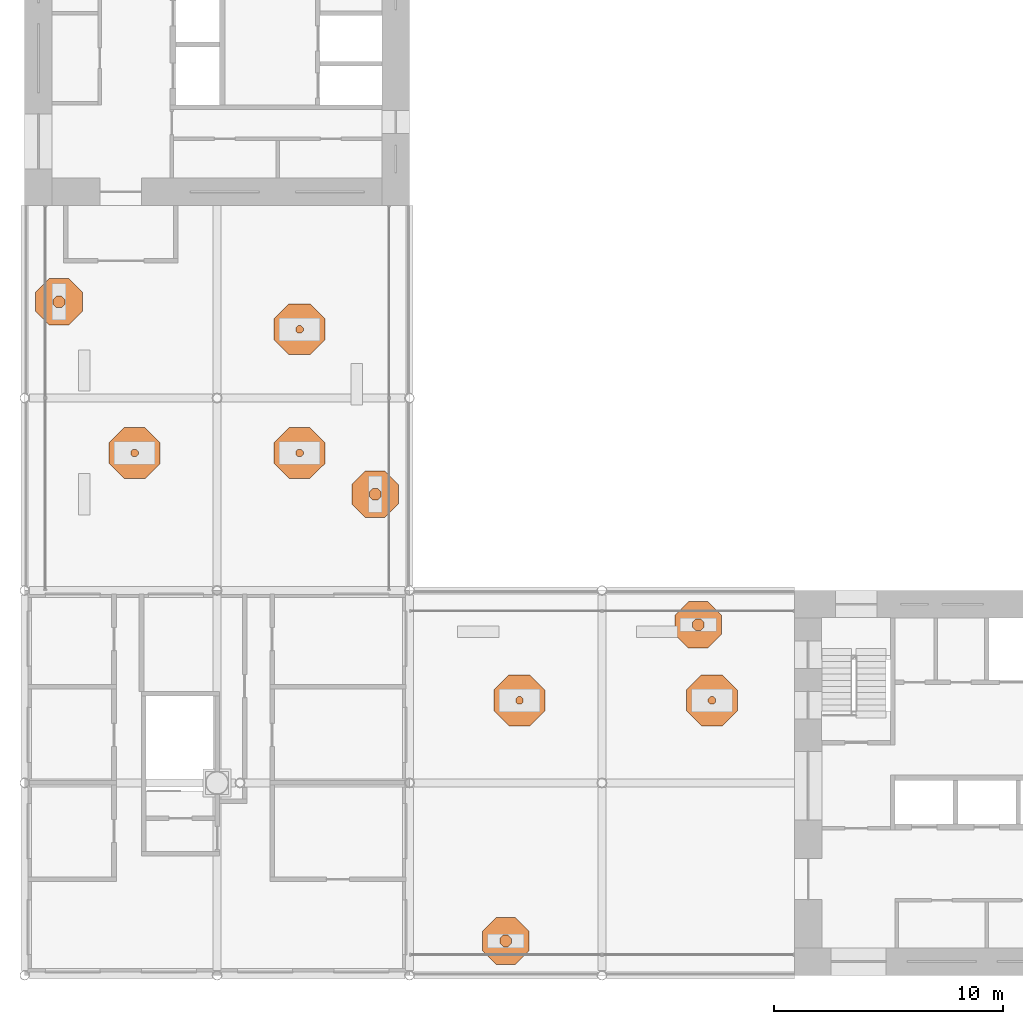
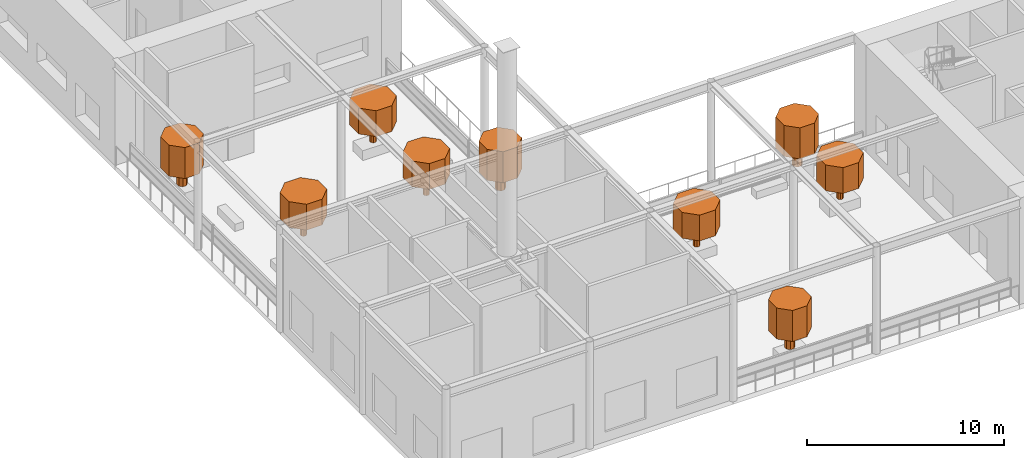
# One storey, part 15 of 15: 18 geographic elements.
"""IFC4 building model written with IfcOpenShell, lengths in metres."""

from ifc_helpers import new_model, si_unit, direction, frame, origin, place, context, subcontext, project, spatial, polyline, outline, extrude, material, element, save


model = new_model("IFC4")

# Units and contexts
model_context = context("Model", 3, precision=1e-05, world=origin(), true_north=direction((0.0, 1.0)))
body_context = subcontext(model_context, "Body", "Model", "MODEL_VIEW")
ifc_project = project(units=[si_unit("LENGTHUNIT", "METRE"), si_unit("AREAUNIT", "SQUARE_METRE"), si_unit("VOLUMEUNIT", "CUBIC_METRE"), si_unit("PLANEANGLEUNIT", "RADIAN"), si_unit("MASSUNIT", "GRAM", prefix="KILO")], contexts=[model_context])

# Site, building, storey
site_placement = place(None, origin())
site = spatial("IfcSite", under=ifc_project, at=site_placement, CompositionType="ELEMENT")
building_placement = place(site_placement, origin())
building = spatial("IfcBuilding", under=site, at=building_placement, Name="Vermilion Gate Residences", CompositionType="ELEMENT")
storey_placement = place(building_placement, frame((0.0, 0.0, 277.199951171875)))
storey = spatial("IfcBuildingStorey", under=building, at=storey_placement, Name="L73", CompositionType="ELEMENT", Elevation=277.199951171875)

# Geographic elements
ifc_material = material(Name="Foliage")
geographic_element_1_placement = place(storey_placement, frame((0.0, 0.0, 0.60009765625)))
element("IfcGeographicElement", 1, at=geographic_element_1_placement, inside=storey, material=ifc_material, Name="Tree trunk (maple)", ObjectType="TREE", PredefinedType="USERDEFINED", context=body_context, shape_type="SweptSolid", body=[
    extrude(outline(polyline([(30.16162109375, 20.467041015625), (30.06689453125, 20.561767578125), (29.93310546875, 20.561767578125), (29.83837890625, 20.467041015625), (29.83837890625, 20.3330078125), (29.93310546875, 20.23828125), (30.06689453125, 20.23828125), (30.16162109375, 20.3330078125), (30.16162109375, 20.467041015625)])), origin(), (0.0, 0.0, 1.0), 1.300048828125),
])
geographic_element_2_placement = place(storey_placement, frame((0.0, 0.0, 1.699951171875)))
element("IfcGeographicElement", 2, at=geographic_element_2_placement, inside=storey, material=ifc_material, Name="Tree crown (maple)", ObjectType="TREE", PredefinedType="USERDEFINED", context=body_context, shape_type="SweptSolid", body=[
    extrude(outline(polyline([(31.108642578125, 20.859130859375), (30.459228515625, 21.5087890625), (29.540771484375, 21.5087890625), (28.891357421875, 20.859130859375), (28.891357421875, 19.94091796875), (29.540771484375, 19.291259765625), (30.459228515625, 19.291259765625), (31.108642578125, 19.94091796875), (31.108642578125, 20.859130859375)])), origin(), (0.0, 0.0, 1.0), 1.60009765625),
])
geographic_element_3_placement = place(storey_placement, frame((0.0, 0.0, 0.60009765625)))
element("IfcGeographicElement", 3, at=geographic_element_3_placement, inside=storey, material=ifc_material, Name="Tree trunk (zelkova)", ObjectType="TREE", PredefinedType="USERDEFINED", context=body_context, shape_type="SweptSolid", body=[
    extrude(outline(polyline([(38.561767578125, 20.467041015625), (38.467041015625, 20.561767578125), (38.3330078125, 20.561767578125), (38.23828125, 20.467041015625), (38.23828125, 20.3330078125), (38.3330078125, 20.23828125), (38.467041015625, 20.23828125), (38.561767578125, 20.3330078125), (38.561767578125, 20.467041015625)])), origin(), (0.0, 0.0, 1.0), 1.300048828125),
])
geographic_element_4_placement = place(storey_placement, frame((0.0, 0.0, 1.699951171875)))
element("IfcGeographicElement", 4, at=geographic_element_4_placement, inside=storey, material=ifc_material, Name="Tree crown (zelkova)", ObjectType="TREE", PredefinedType="USERDEFINED", context=body_context, shape_type="SweptSolid", body=[
    extrude(outline(polyline([(39.5087890625, 20.859130859375), (38.859130859375, 21.5087890625), (37.94091796875, 21.5087890625), (37.291259765625, 20.859130859375), (37.291259765625, 19.94091796875), (37.94091796875, 19.291259765625), (38.859130859375, 19.291259765625), (39.5087890625, 19.94091796875), (39.5087890625, 20.859130859375)])), origin(), (0.0, 0.0, 1.0), 1.60009765625),
])
geographic_element_5_placement = place(storey_placement, frame((0.0, 0.0, 0.60009765625)))
element("IfcGeographicElement", 5, at=geographic_element_5_placement, inside=storey, material=ifc_material, Name="Tree trunk (black pine)", ObjectType="TREE", PredefinedType="USERDEFINED", context=body_context, shape_type="SweptSolid", body=[
    extrude(outline(polyline([(13.36181640625, 31.26708984375), (13.26708984375, 31.36181640625), (13.133056640625, 31.36181640625), (13.038330078125, 31.26708984375), (13.038330078125, 31.133056640625), (13.133056640625, 31.038330078125), (13.26708984375, 31.038330078125), (13.36181640625, 31.133056640625), (13.36181640625, 31.26708984375)])), origin(), (0.0, 0.0, 1.0), 1.300048828125),
])
geographic_element_6_placement = place(storey_placement, frame((0.0, 0.0, 1.699951171875)))
element("IfcGeographicElement", 6, at=geographic_element_6_placement, inside=storey, material=ifc_material, Name="Tree crown (black pine)", ObjectType="TREE", PredefinedType="USERDEFINED", context=body_context, shape_type="SweptSolid", body=[
    extrude(outline(polyline([(14.30859375, 31.6591796875), (13.6591796875, 32.30859375), (12.74072265625, 32.30859375), (12.09130859375, 31.6591796875), (12.09130859375, 30.74072265625), (12.74072265625, 30.09130859375), (13.6591796875, 30.09130859375), (14.30859375, 30.74072265625), (14.30859375, 31.6591796875)])), origin(), (0.0, 0.0, 1.0), 1.60009765625),
])
geographic_element_7_placement = place(storey_placement, frame((0.0, 0.0, 0.60009765625)))
element("IfcGeographicElement", 7, at=geographic_element_7_placement, inside=storey, material=ifc_material, Name="Tree trunk (fringe tree)", ObjectType="TREE", PredefinedType="USERDEFINED", context=body_context, shape_type="SweptSolid", body=[
    extrude(outline(polyline([(20.561767578125, 31.26708984375), (20.467041015625, 31.36181640625), (20.3330078125, 31.36181640625), (20.23828125, 31.26708984375), (20.23828125, 31.133056640625), (20.3330078125, 31.038330078125), (20.467041015625, 31.038330078125), (20.561767578125, 31.133056640625), (20.561767578125, 31.26708984375)])), origin(), (0.0, 0.0, 1.0), 1.300048828125),
])
geographic_element_8_placement = place(storey_placement, frame((0.0, 0.0, 1.699951171875)))
element("IfcGeographicElement", 8, at=geographic_element_8_placement, inside=storey, material=ifc_material, Name="Tree crown (fringe tree)", ObjectType="TREE", PredefinedType="USERDEFINED", context=body_context, shape_type="SweptSolid", body=[
    extrude(outline(polyline([(21.5087890625, 31.6591796875), (20.859130859375, 32.30859375), (19.94091796875, 32.30859375), (19.291259765625, 31.6591796875), (19.291259765625, 30.74072265625), (19.94091796875, 30.09130859375), (20.859130859375, 30.09130859375), (21.5087890625, 30.74072265625), (21.5087890625, 31.6591796875)])), origin(), (0.0, 0.0, 1.0), 1.60009765625),
])
geographic_element_9_placement = place(storey_placement, frame((0.0, 0.0, 0.60009765625)))
element("IfcGeographicElement", 9, at=geographic_element_9_placement, inside=storey, material=ifc_material, Name="Tree trunk (maple)", ObjectType="TREE", PredefinedType="USERDEFINED", context=body_context, shape_type="SweptSolid", body=[
    extrude(outline(polyline([(20.561767578125, 36.6669921875), (20.467041015625, 36.76171875), (20.3330078125, 36.76171875), (20.23828125, 36.6669921875), (20.23828125, 36.532958984375), (20.3330078125, 36.438232421875), (20.467041015625, 36.438232421875), (20.561767578125, 36.532958984375), (20.561767578125, 36.6669921875)])), origin(), (0.0, 0.0, 1.0), 1.300048828125),
])
geographic_element_10_placement = place(storey_placement, frame((0.0, 0.0, 1.699951171875)))
element("IfcGeographicElement", 10, at=geographic_element_10_placement, inside=storey, material=ifc_material, Name="Tree crown (maple)", ObjectType="TREE", PredefinedType="USERDEFINED", context=body_context, shape_type="SweptSolid", body=[
    extrude(outline(polyline([(21.5087890625, 37.05908203125), (20.859130859375, 37.708740234375), (19.94091796875, 37.708740234375), (19.291259765625, 37.05908203125), (19.291259765625, 36.140869140625), (19.94091796875, 35.4912109375), (20.859130859375, 35.4912109375), (21.5087890625, 36.140869140625), (21.5087890625, 37.05908203125)])), origin(), (0.0, 0.0, 1.0), 1.60009765625),
])
geographic_element_11_placement = place(storey_placement, frame((0.0, 0.0, 0.900146484375)))
element("IfcGeographicElement", 11, at=geographic_element_11_placement, inside=storey, material=ifc_material, Name="Tree (maple)", ObjectType="TREE", PredefinedType="USERDEFINED", context=body_context, shape_type="SweptSolid", body=[
    extrude(outline(polyline([(29.654052734375, 10.005126953125), (29.505126953125, 10.154052734375), (29.294921875, 10.154052734375), (29.14599609375, 10.005126953125), (29.14599609375, 9.794921875), (29.294921875, 9.64599609375), (29.505126953125, 9.64599609375), (29.654052734375, 9.794921875), (29.654052734375, 10.005126953125)])), origin(), (0.0, 0.0, 1.0), 1.079833984375),
])
geographic_element_12_placement = place(storey_placement, frame((0.0, 0.0, 1.97998046875)))
element("IfcGeographicElement", 12, at=geographic_element_12_placement, inside=storey, material=ifc_material, Name="Tree crown (maple)", ObjectType="TREE", PredefinedType="USERDEFINED", context=body_context, shape_type="SweptSolid", body=[
    extrude(outline(polyline([(30.416259765625, 10.321044921875), (29.821044921875, 10.916259765625), (28.97900390625, 10.916259765625), (28.3837890625, 10.321044921875), (28.3837890625, 9.47900390625), (28.97900390625, 8.8837890625), (29.821044921875, 8.8837890625), (30.416259765625, 9.47900390625), (30.416259765625, 10.321044921875)])), origin(), (0.0, 0.0, 1.0), 1.920166015625),
])
geographic_element_13_placement = place(storey_placement, frame((0.0, 0.0, 0.900146484375)))
element("IfcGeographicElement", 13, at=geographic_element_13_placement, inside=storey, material=ifc_material, Name="Tree (black pine)", ObjectType="TREE", PredefinedType="USERDEFINED", context=body_context, shape_type="SweptSolid", body=[
    extrude(outline(polyline([(38.05419921875, 23.80517578125), (37.9052734375, 23.9541015625), (37.69482421875, 23.9541015625), (37.5458984375, 23.80517578125), (37.5458984375, 23.5947265625), (37.69482421875, 23.44580078125), (37.9052734375, 23.44580078125), (38.05419921875, 23.5947265625), (38.05419921875, 23.80517578125)])), origin(), (0.0, 0.0, 1.0), 1.079833984375),
])
geographic_element_14_placement = place(storey_placement, frame((0.0, 0.0, 1.97998046875)))
element("IfcGeographicElement", 14, at=geographic_element_14_placement, inside=storey, material=ifc_material, Name="Tree crown (black pine)", ObjectType="TREE", PredefinedType="USERDEFINED", context=body_context, shape_type="SweptSolid", body=[
    extrude(outline(polyline([(38.81640625, 24.12109375), (38.220947265625, 24.71630859375), (37.37890625, 24.71630859375), (36.78369140625, 24.12109375), (36.78369140625, 23.279052734375), (37.37890625, 22.68359375), (38.220947265625, 22.68359375), (38.81640625, 23.279052734375), (38.81640625, 24.12109375)])), origin(), (0.0, 0.0, 1.0), 1.920166015625),
])
geographic_element_15_placement = place(storey_placement, frame((0.0, 0.0, 0.900146484375)))
element("IfcGeographicElement", 15, at=geographic_element_15_placement, inside=storey, material=ifc_material, Name="Tree (zelkova)", ObjectType="TREE", PredefinedType="USERDEFINED", context=body_context, shape_type="SweptSolid", body=[
    extrude(outline(polyline([(23.9541015625, 29.505126953125), (23.80517578125, 29.654052734375), (23.5947265625, 29.654052734375), (23.44580078125, 29.505126953125), (23.44580078125, 29.294921875), (23.5947265625, 29.14599609375), (23.80517578125, 29.14599609375), (23.9541015625, 29.294921875), (23.9541015625, 29.505126953125)])), origin(), (0.0, 0.0, 1.0), 1.079833984375),
])
geographic_element_16_placement = place(storey_placement, frame((0.0, 0.0, 1.97998046875)))
element("IfcGeographicElement", 16, at=geographic_element_16_placement, inside=storey, material=ifc_material, Name="Tree crown (zelkova)", ObjectType="TREE", PredefinedType="USERDEFINED", context=body_context, shape_type="SweptSolid", body=[
    extrude(outline(polyline([(24.71630859375, 29.821044921875), (24.12109375, 30.416259765625), (23.279052734375, 30.416259765625), (22.68359375, 29.821044921875), (22.68359375, 28.97900390625), (23.279052734375, 28.3837890625), (24.12109375, 28.3837890625), (24.71630859375, 28.97900390625), (24.71630859375, 29.821044921875)])), origin(), (0.0, 0.0, 1.0), 1.920166015625),
])
geographic_element_17_placement = place(storey_placement, frame((0.0, 0.0, 0.900146484375)))
element("IfcGeographicElement", 17, at=geographic_element_17_placement, inside=storey, material=ifc_material, Name="Tree (zelkova)", ObjectType="TREE", PredefinedType="USERDEFINED", context=body_context, shape_type="SweptSolid", body=[
    extrude(outline(polyline([(10.154052734375, 37.9052734375), (10.005126953125, 38.05419921875), (9.794921875, 38.05419921875), (9.64599609375, 37.9052734375), (9.64599609375, 37.69482421875), (9.794921875, 37.5458984375), (10.005126953125, 37.5458984375), (10.154052734375, 37.69482421875), (10.154052734375, 37.9052734375)])), origin(), (0.0, 0.0, 1.0), 1.079833984375),
])
geographic_element_18_placement = place(storey_placement, frame((0.0, 0.0, 1.97998046875)))
element("IfcGeographicElement", 18, at=geographic_element_18_placement, inside=storey, material=ifc_material, Name="Tree crown (zelkova)", ObjectType="TREE", PredefinedType="USERDEFINED", context=body_context, shape_type="SweptSolid", body=[
    extrude(outline(polyline([(10.916259765625, 38.220947265625), (10.321044921875, 38.81640625), (9.47900390625, 38.81640625), (8.8837890625, 38.220947265625), (8.8837890625, 37.37890625), (9.47900390625, 36.78369140625), (10.321044921875, 36.78369140625), (10.916259765625, 37.37890625), (10.916259765625, 38.220947265625)])), origin(), (0.0, 0.0, 1.0), 1.920166015625),
])

save(model, "model.ifc")
